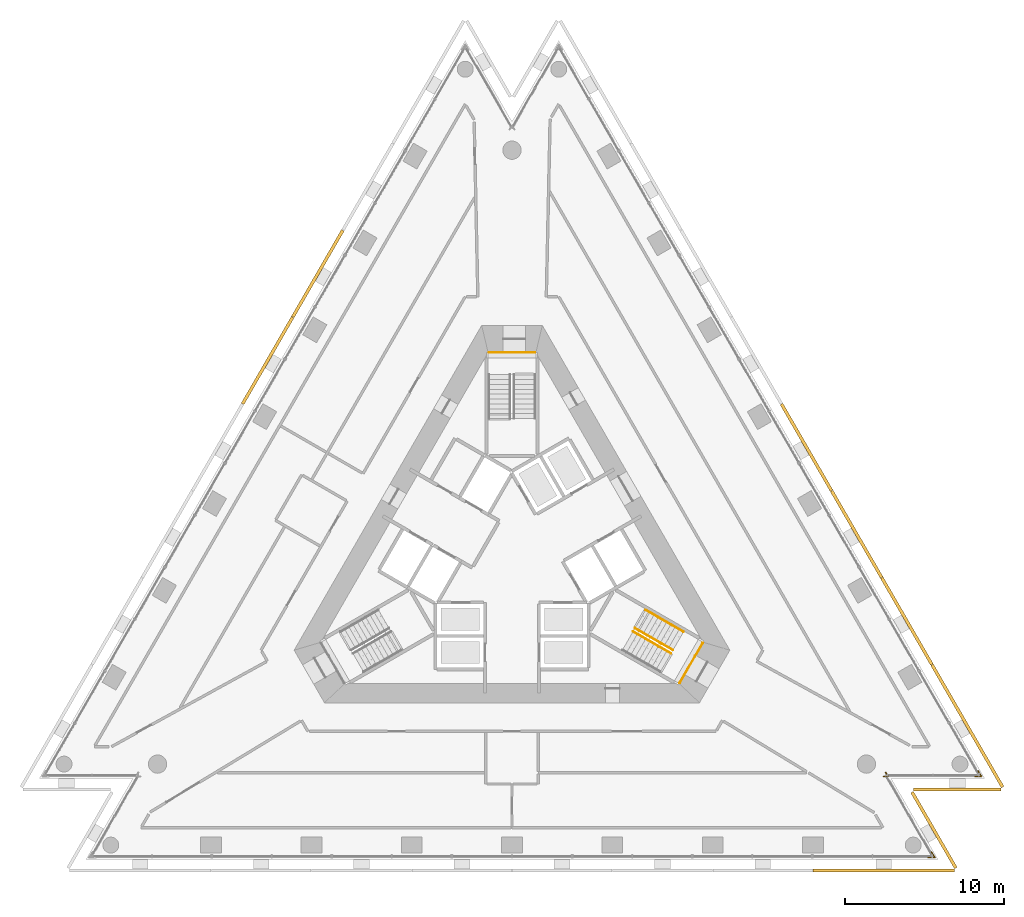
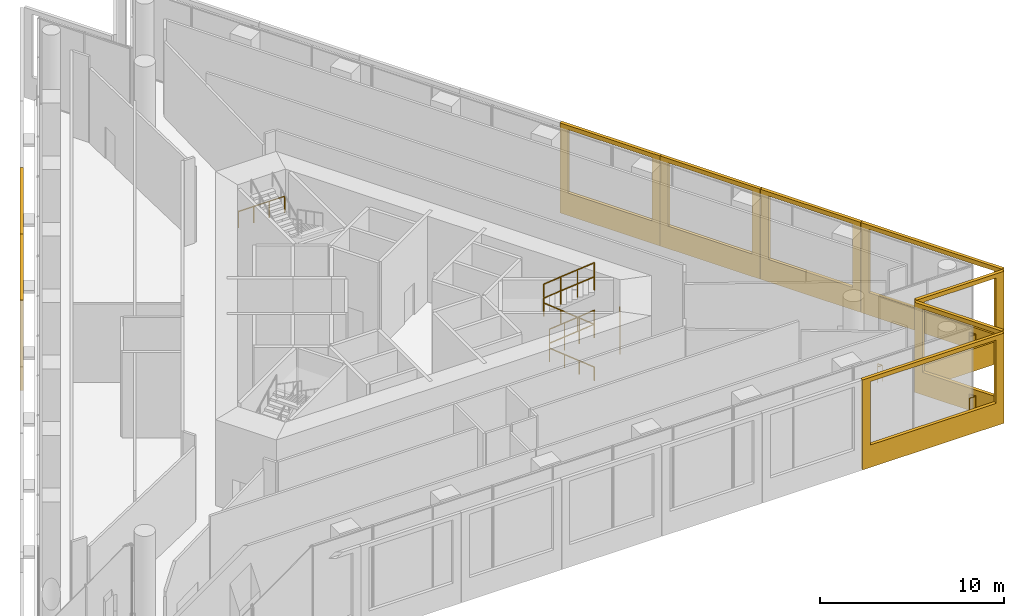
# One storey, part 16 of 18: 11 railings, 9 shading devices, 2 elements without a shape of their own.
"""IFC4 building model written with IfcOpenShell, lengths in metres."""

import ifcopenshell
import ifcopenshell.guid

model = None  # the IFC model being written
_history = None  # IfcOwnerHistory: only IFC2X3 demands one
_inside = {}  # id of a spatial element -> (the spatial element, [elements in it])
_under = {}  # id of a project, library or spatial element -> (it, [spatial elements below it])
_declared = {}  # id of a project -> (the project, [libraries it declares])
_typed = {}  # id of a type object -> (the type object, [elements of that type])
_made_of = {}  # id of a material, layer set ... -> (it, [elements and type objects made of it])


def new_model(schema):
    """Start an empty IFC model of exactly this schema.

    Asked for "IFC4X3", IfcOpenShell would pick the latest addendum, in which some entities
    have other attributes; the version numbers below select the first issue.
    IFC2X3 requires an IfcOwnerHistory on every rooted entity: one is made here for all.
    """
    global model, _history
    if schema == "IFC4X3":
        model = ifcopenshell.file(schema_version=(4, 3, 0, 0))
    else:
        model = ifcopenshell.file(schema=schema)
    _inside.clear()
    _under.clear()
    _declared.clear()
    _typed.clear()
    _made_of.clear()
    _history = None
    if model.schema == "IFC2X3":
        org = make("IfcOrganization", Name="unknown")
        user = make(
            "IfcPersonAndOrganization",
            ThePerson=make("IfcPerson", FamilyName="unknown"),
            TheOrganization=org,
        )
        app = make(
            "IfcApplication",
            ApplicationDeveloper=org,
            Version="unknown",
            ApplicationFullName="unknown",
            ApplicationIdentifier="unknown",
        )
        _history = make(
            "IfcOwnerHistory",
            OwningUser=user,
            OwningApplication=app,
            ChangeAction="ADDED",
            CreationDate=0,
        )
    return model


def make(cls, **values):
    """One entity of the class cls with the attributes given. An attribute that is None is left unset."""
    return model.create_entity(
        cls, **{name: value for name, value in values.items() if value is not None}
    )


def rooted(cls, **values):
    """An entity with a GlobalId (a new one), such as an element, a storey or a relation."""
    return make(cls, GlobalId=ifcopenshell.guid.new(), OwnerHistory=_history, **values)


def si_unit(unit_type, name, prefix=None):
    """IfcSIUnit, for example si_unit("LENGTHUNIT", "METRE", prefix="MILLI")."""
    return make("IfcSIUnit", UnitType=unit_type, Prefix=prefix, Name=name)


def assignment(units):
    """IfcUnitAssignment: the units of a project."""
    return None if units is None else make("IfcUnitAssignment", Units=units)


def point(xyz):
    """IfcCartesianPoint."""
    return None if xyz is None else make("IfcCartesianPoint", Coordinates=xyz)


def direction(xyz):
    """IfcDirection."""
    return None if xyz is None else make("IfcDirection", DirectionRatios=xyz)


def frame(location, z_axis=None, x_axis=None):
    """IfcAxis2Placement3D, a coordinate frame: its origin and axes. An axis left out is left unset."""
    return make(
        "IfcAxis2Placement3D",
        Location=point(location),
        Axis=direction(z_axis),
        RefDirection=direction(x_axis),
    )


def frame_2d(location, x_axis=None):
    """IfcAxis2Placement2D, a coordinate frame in the plane: its origin and x axis."""
    return make(
        "IfcAxis2Placement2D", Location=point(location), RefDirection=direction(x_axis)
    )


def origin():
    """The frame at (0, 0, 0) with its axes left unset."""
    return frame((0.0, 0.0, 0.0))


def origin_2d():
    """The frame at (0, 0) in the plane with its x axis left unset."""
    return frame_2d((0.0, 0.0))


def place(relative_to, where):
    """IfcLocalPlacement: puts the frame where relative to a parent placement (None: the world)."""
    return make(
        "IfcLocalPlacement", PlacementRelTo=relative_to, RelativePlacement=where
    )


def context(
    kind, dimensions, precision=None, world=None, true_north=None, identifier=None
):
    """IfcGeometricRepresentationContext, for example the 3D "Model" context."""
    return make(
        "IfcGeometricRepresentationContext",
        ContextIdentifier=identifier,
        ContextType=kind,
        CoordinateSpaceDimension=dimensions,
        Precision=precision,
        WorldCoordinateSystem=world,
        TrueNorth=true_north,
    )


def subcontext(parent, identifier, kind, view, scale=None):
    """IfcGeometricRepresentationSubContext, for example "Body" below "Model"."""
    return make(
        "IfcGeometricRepresentationSubContext",
        ContextIdentifier=identifier,
        ContextType=kind,
        ParentContext=parent,
        TargetScale=scale,
        TargetView=view,
    )


def project(units=None, contexts=None):
    """IfcProject with its units and contexts."""
    return rooted(
        "IfcProject",
        Name="project",
        RepresentationContexts=contexts,
        UnitsInContext=assignment(units),
    )


def spatial(cls, under=None, at=None, **own):
    """A site, building, storey or space (cls), placed at a placement, below another one or the project."""
    s = rooted(cls, ObjectPlacement=at, **own)
    if under is not None:
        _under.setdefault(under.id(), (under, []))[1].append(s)
    return s


def polyline(points):
    """IfcPolyline through the points."""
    return make("IfcPolyline", Points=[point(p) for p in points])


def profile(cls, at=None, kind="AREA", **sizes):
    """A parametric profile (cls). Its sizes go by their IFC names, for example OverallWidth=200.0."""
    return make(cls, ProfileType=kind, Position=at, **sizes)


def circle(**sizes):
    """IfcCircleProfileDef."""
    return profile("IfcCircleProfileDef", **sizes)


def outline(outer, holes=None, kind="AREA"):
    """IfcArbitraryClosedProfileDef: a profile drawn as a closed curve; with holes, ...WithVoids."""
    if holes is None:
        return make("IfcArbitraryClosedProfileDef", ProfileType=kind, OuterCurve=outer)
    return make(
        "IfcArbitraryProfileDefWithVoids",
        ProfileType=kind,
        OuterCurve=outer,
        InnerCurves=holes,
    )


def extrude(swept, where, along, depth):
    """IfcExtrudedAreaSolid: the profile swept, set in the frame where, extruded along a direction by depth."""
    return make(
        "IfcExtrudedAreaSolid",
        SweptArea=swept,
        Position=where,
        ExtrudedDirection=direction(along),
        Depth=depth,
    )


def shape(context_of_items, identifier, shape_type, items):
    """IfcShapeRepresentation: the items that make up one representation, for example the "Body"."""
    return make(
        "IfcShapeRepresentation",
        ContextOfItems=context_of_items,
        RepresentationIdentifier=identifier,
        RepresentationType=shape_type,
        Items=items,
    )


def material(Name=None, Category=None):
    """IfcMaterial."""
    return make("IfcMaterial", Name=Name, Category=Category)


def layer(
    of_material, thickness, ventilated=None, Name=None, Category=None, Priority=None
):
    """IfcMaterialLayer: one layer of a wall or slab, of a material (None: an air gap)."""
    return make(
        "IfcMaterialLayer",
        Material=of_material,
        LayerThickness=thickness,
        IsVentilated=ventilated,
        Name=Name,
        Category=Category,
        Priority=Priority,
    )


def layer_set(layers, Name=None):
    """IfcMaterialLayerSet."""
    return make("IfcMaterialLayerSet", MaterialLayers=layers, LayerSetName=Name)


def made_of(thing, what):
    """Note that an element or type object is made of a material, layer set ...; save() writes the relation."""
    if what is not None:
        _made_of.setdefault(what.id(), (what, []))[1].append(thing)
    return thing


def type_object(cls, material=None, **own):
    """A type object (cls), such as IfcWallType, which elements share."""
    return made_of(rooted(cls, **own), material)


def element(
    cls,
    number,
    at=None,
    inside=None,
    cuts=None,
    type_object=None,
    material=None,
    context=None,
    identifier="Body",
    shape_type=None,
    held_by="IfcProductDefinitionShape",
    body=None,
    shapes=None,
    **own,
):
    """One element of the class cls, such as IfcWall. Its Tag is "e" and its number.

    at: its placement. inside: the storey or other place that contains it. cuts: it is an
    opening in that element (IfcRelVoidsElement). A single representation is given by context,
    identifier, shape_type and body (its items); several are given by shapes. held_by: the class
    of the entity that holds the representations. save() writes the other relations.
    """
    e = rooted(cls, Tag="e%d" % number, ObjectPlacement=at, **own)
    if body is not None:
        shapes = [shape(context, identifier, shape_type, body)]
    if shapes is not None:
        e.Representation = make(held_by, Representations=shapes)
    if inside is not None:
        _inside.setdefault(inside.id(), (inside, []))[1].append(e)
    if cuts is not None:
        rooted(
            "IfcRelVoidsElement", RelatingBuildingElement=cuts, RelatedOpeningElement=e
        )
    if type_object is not None:
        _typed.setdefault(type_object.id(), (type_object, []))[1].append(e)
    return made_of(e, material)


def aggregate(whole, parts):
    """IfcRelAggregates: a whole, such as a stair, and the parts it consists of."""
    return rooted("IfcRelAggregates", RelatingObject=whole, RelatedObjects=parts)


def save(model, path):
    """Write the relations noted so far, then the file.

    IfcRelAggregates (storeys below a building ...), IfcRelContainedInSpatialStructure (elements
    in a storey), IfcRelDefinesByType, IfcRelAssociatesMaterial and IfcRelDeclares: one each for
    every whole, place, type object, material and project.
    """
    for whole, parts in _under.values():
        aggregate(whole, parts)
    for where, things in _inside.values():
        rooted(
            "IfcRelContainedInSpatialStructure",
            RelatedElements=things,
            RelatingStructure=where,
        )
    for kind, things in _typed.values():
        rooted("IfcRelDefinesByType", RelatedObjects=things, RelatingType=kind)
    for what, things in _made_of.values():
        rooted("IfcRelAssociatesMaterial", RelatedObjects=things, RelatingMaterial=what)
    for by, libraries in _declared.values():
        rooted("IfcRelDeclares", RelatingContext=by, RelatedDefinitions=libraries)
    model.write(path)


model = new_model("IFC4")

# Units and contexts
model_context = context("Model", 3, precision=1e-05, world=origin(), true_north=direction((0.0, 1.0)))
body_context = subcontext(model_context, "Body", "Model", "MODEL_VIEW")
ifc_project = project(units=[si_unit("LENGTHUNIT", "METRE"), si_unit("AREAUNIT", "SQUARE_METRE"), si_unit("VOLUMEUNIT", "CUBIC_METRE"), si_unit("PLANEANGLEUNIT", "RADIAN"), si_unit("MASSUNIT", "GRAM", prefix="KILO")], contexts=[model_context])

# Site, building, storey
site_placement = place(None, origin())
site = spatial("IfcSite", under=ifc_project, at=site_placement, CompositionType="ELEMENT")
building_placement = place(site_placement, origin())
building = spatial("IfcBuilding", under=site, at=building_placement, Name="Triada Interchange Tower", CompositionType="ELEMENT")
storey_placement = place(building_placement, frame((0.0, 0.0, 185.300048828125)))
storey = spatial("IfcBuildingStorey", under=building, at=storey_placement, Name="L43", CompositionType="ELEMENT", Elevation=185.300048828125)

# Railings
ifc_material_1 = material(Name="Stainless steel 1.4301", Category="steel")
railing_type_1 = type_object("IfcRailingType", Name="Edge guard 1100", PredefinedType="GUARDRAIL", material=ifc_material_1)
railing_1_placement = place(storey_placement, frame((26.14599609375, -18.720947265625, 0.0)))
element("IfcRailing", 1, at=railing_1_placement, inside=storey, type_object=railing_type_1, Name="Edge guard L43 corner 05", PredefinedType="GUARDRAIL", context=body_context, shape_type="SweptSolid", body=[
    extrude(circle(Radius=0.02392578125, at=origin_2d()), frame((0.0, 0.0, 1.076171875), z_axis=(1.0, 0.0, 0.0), x_axis=(0.0, 1.0, 0.0)), (0.0, 0.0, 1.0), 0.406005859375),
    extrude(circle(Radius=0.02392578125, at=origin_2d()), frame((0.406005859375, 0.0, 1.076171875), z_axis=(-0.49930626892, 0.866425559305, 0.0), x_axis=(-0.866425559305, -0.49930626892, 0.0)), (0.0, 0.0, 1.0), 0.40625),
    extrude(circle(Radius=0.02099609375, at=origin_2d()), origin(), (0.0, 0.0, 1.0), 1.052001953125),
    extrude(circle(Radius=0.02099609375, at=origin_2d()), frame((0.406005859375, 0.0, 0.0)), (0.0, 0.0, 1.0), 1.052001953125),
    extrude(circle(Radius=0.02099609375, at=origin_2d()), frame((0.203125, 0.35205078125, 0.0)), (0.0, 0.0, 1.0), 1.052001953125),
])
railing_2_placement = place(storey_placement, frame((23.471923828125, -13.385986328125, 0.0)))
element("IfcRailing", 2, at=railing_2_placement, inside=storey, type_object=railing_type_1, Name="Edge guard L43 corner 06", PredefinedType="GUARDRAIL", context=body_context, shape_type="SweptSolid", body=[
    extrude(circle(Radius=0.02392578125, at=origin_2d()), frame((0.0, 0.0, 1.076171875), z_axis=(0.49962403686, -0.866242357422, 0.0), x_axis=(0.866242357422, 0.49962403686, 0.0)), (0.0, 0.0, 1.0), 0.286376953125),
    extrude(circle(Radius=0.02392578125, at=origin_2d()), frame((0.14306640625, -0.248046875, 1.076171875), z_axis=(-1.0, 0.0, 0.0), x_axis=(0.0, -1.0, 0.0)), (0.0, 0.0, 1.0), 0.285888671875),
    extrude(circle(Radius=0.02099609375, at=origin_2d()), origin(), (0.0, 0.0, 1.0), 1.052001953125),
    extrude(circle(Radius=0.02099609375, at=origin_2d()), frame((0.14306640625, -0.248046875, 0.0)), (0.0, 0.0, 1.0), 1.052001953125),
    extrude(circle(Radius=0.02099609375, at=origin_2d()), frame((-0.142822265625, -0.248046875, 0.0)), (0.0, 0.0, 1.0), 1.052001953125),
])
railing_3_placement = place(storey_placement, frame((29.0830078125, -13.634033203125, 0.0)))
element("IfcRailing", 3, at=railing_3_placement, inside=storey, type_object=railing_type_1, Name="Edge guard L43 corner 07", PredefinedType="GUARDRAIL", context=body_context, shape_type="SweptSolid", body=[
    extrude(circle(Radius=0.02392578125, at=origin_2d()), frame((0.0, 0.0, 1.076171875), z_axis=(1.0, 0.0, 0.0), x_axis=(0.0, 1.0, 0.0)), (0.0, 0.0, 1.0), 0.406005859375),
    extrude(circle(Radius=0.02392578125, at=origin_2d()), frame((0.406005859375, 0.0, 1.076171875), z_axis=(-0.499757119926, 0.866165585257, 0.0), x_axis=(-0.866165585257, -0.499757119926, 0.0)), (0.0, 0.0, 1.0), 0.406494140625),
    extrude(circle(Radius=0.02099609375, at=origin_2d()), origin(), (0.0, 0.0, 1.0), 1.052001953125),
    extrude(circle(Radius=0.02099609375, at=origin_2d()), frame((0.406005859375, 0.0, 0.0)), (0.0, 0.0, 1.0), 1.052001953125),
    extrude(circle(Radius=0.02099609375, at=origin_2d()), frame((0.202880859375, 0.35205078125, 0.0)), (0.0, 0.0, 1.0), 1.052001953125),
])

# Shading devices
ifc_material_2 = material(Name="Concrete C50/60 precast", Category="concrete")
ifc_layer_1 = layer(ifc_material_2, 0.02001953125, Name="Exposed aggregate face")
ifc_layer_2 = layer(ifc_material_2, 0.179931640625, Name="Precast concrete screen")
ifc_layer_set = layer_set([ifc_layer_1, ifc_layer_2], Name="Outer skin screen panel 5980")
shading_device_type = type_object("IfcShadingDeviceType", Name="Outer skin screen panel 5980", PredefinedType="SHUTTER", material=ifc_layer_set)
shading_device_1_placement = place(storey_placement, frame((-10.541015625, 20.6240234375, -0.590087890625), z_axis=(0.0, 0.0, 1.0), x_axis=(-0.499964741488, -0.866045759339, 0.0)))
element("IfcShadingDevice", 4, at=shading_device_1_placement, inside=storey, type_object=shading_device_type, Name="Outer skin screen panel L43 03", PredefinedType="SHUTTER", context=body_context, shape_type="SweptSolid", body=[
    extrude(outline(polyline([(0.0, 0.0), (6.2802734375, 0.0), (6.2802734375, 5.97998046875), (0.0, 5.97998046875), (0.0, 0.0)]), holes=[polyline([(0.5, 1.489990234375), (0.5, 5.699951171875), (5.7802734375, 5.699951171875), (5.7802734375, 1.489990234375), (0.5, 1.489990234375)])]), frame((0.0, 0.0, 0.0), z_axis=(0.0, -1.0, 0.0), x_axis=(1.0, 0.0, 0.0)), (0.0, 0.0, 1.0), 0.199951171875),
])
shading_device_2_placement = place(storey_placement, frame((-13.69091796875, 15.16796875, -0.590087890625), z_axis=(0.0, 0.0, 1.0), x_axis=(-0.500110506406, -0.86596159348, 0.0)))
element("IfcShadingDevice", 5, at=shading_device_2_placement, inside=storey, type_object=shading_device_type, Name="Outer skin screen panel L43 04", PredefinedType="SHUTTER", context=body_context, shape_type="SweptSolid", body=[
    extrude(outline(polyline([(0.0, 0.0), (6.28076171875, 0.0), (6.28076171875, 5.97998046875), (0.0, 5.97998046875), (0.0, 0.0)]), holes=[polyline([(0.5, 1.489990234375), (0.5, 5.699951171875), (5.7802734375, 5.699951171875), (5.7802734375, 1.489990234375), (0.5, 1.489990234375)])]), frame((0.0, 0.0, 0.0), z_axis=(0.0, -1.0, 0.0), x_axis=(1.0, 0.0, 0.0)), (0.0, 0.0, 1.0), 0.199951171875),
])
shading_device_3_placement = place(storey_placement, frame((18.910888671875, -19.44091796875, -0.590087890625), z_axis=(0.0, 0.0, 1.0), x_axis=(1.0, 0.0, 0.0)))
element("IfcShadingDevice", 6, at=shading_device_3_placement, inside=storey, type_object=shading_device_type, Name="Outer skin screen panel L43 18", PredefinedType="SHUTTER", context=body_context, shape_type="SweptSolid", body=[
    extrude(outline(polyline([(0.0, 0.0), (8.878173828125, 0.0), (8.878173828125, 5.97998046875), (0.0, 5.97998046875), (0.0, 0.0)]), holes=[polyline([(0.5, 1.489990234375), (0.5, 5.699951171875), (8.378173828125, 5.699951171875), (8.378173828125, 1.489990234375), (0.5, 1.489990234375)])]), frame((0.0, 0.0, 0.0), z_axis=(0.0, -1.0, 0.0), x_axis=(1.0, 0.0, 0.0)), (0.0, 0.0, 1.0), 0.199951171875),
])
shading_device_4_placement = place(storey_placement, frame((27.7939453125, -19.431884765625, -0.590087890625), z_axis=(0.0, 0.0, 1.0), x_axis=(-0.499954016204, 0.866051950914, 0.0)))
element("IfcShadingDevice", 7, at=shading_device_4_placement, inside=storey, type_object=shading_device_type, Name="Outer skin screen panel L43 19", PredefinedType="SHUTTER", context=body_context, shape_type="SweptSolid", body=[
    extrude(outline(polyline([(0.0, 0.0), (5.50634765625, 0.0), (5.50634765625, 5.97998046875), (0.0, 5.97998046875), (0.0, 0.0)]), holes=[polyline([(0.5, 1.489990234375), (0.5, 5.699951171875), (5.00732421875, 5.699951171875), (5.00732421875, 1.489990234375), (0.5, 1.489990234375)])]), frame((0.0, 0.0, 0.0), z_axis=(0.0, -1.0, 0.0), x_axis=(1.0, 0.0, 0.0)), (0.0, 0.0, 1.0), 0.199951171875),
])
shading_device_5_placement = place(storey_placement, frame((25.218994140625, -14.35400390625, -0.590087890625), z_axis=(0.0, 0.0, 1.0), x_axis=(1.0, 0.0, 0.0)))
element("IfcShadingDevice", 8, at=shading_device_5_placement, inside=storey, type_object=shading_device_type, Name="Outer skin screen panel L43 20", PredefinedType="SHUTTER", context=body_context, shape_type="SweptSolid", body=[
    extrude(outline(polyline([(0.0, 0.0), (5.507080078125, 0.0), (5.507080078125, 5.97998046875), (0.0, 5.97998046875), (0.0, 0.0)]), holes=[polyline([(0.5, 1.489990234375), (0.5, 5.699951171875), (5.007080078125, 5.699951171875), (5.007080078125, 1.489990234375), (0.5, 1.489990234375)])]), frame((0.0, 0.0, 0.0), z_axis=(0.0, -1.0, 0.0), x_axis=(1.0, 0.0, 0.0)), (0.0, 0.0, 1.0), 0.199951171875),
])
shading_device_6_placement = place(storey_placement, frame((30.73095703125, -14.344970703125, -0.590087890625), z_axis=(0.0, 0.0, 1.0), x_axis=(-0.499977945113, 0.866038136805, 0.0)))
element("IfcShadingDevice", 9, at=shading_device_6_placement, inside=storey, type_object=shading_device_type, Name="Outer skin screen panel L43 21", PredefinedType="SHUTTER", context=body_context, shape_type="SweptSolid", body=[
    extrude(outline(polyline([(0.0, 0.0), (8.87841796875, 0.0), (8.87841796875, 5.97998046875), (0.0, 5.97998046875), (0.0, 0.0)]), holes=[polyline([(0.5, 1.489990234375), (0.5, 5.699951171875), (8.37841796875, 5.699951171875), (8.37841796875, 1.489990234375), (0.5, 1.489990234375)])]), frame((0.0, 0.0, 0.0), z_axis=(0.0, -1.0, 0.0), x_axis=(1.0, 0.0, 0.0)), (0.0, 0.0, 1.0), 0.199951171875),
])
shading_device_7_placement = place(storey_placement, frame((26.281982421875, -6.638916015625, -0.590087890625), z_axis=(0.0, 0.0, 1.0), x_axis=(-0.499964741488, 0.866045759339, 0.0)))
element("IfcShadingDevice", 10, at=shading_device_7_placement, inside=storey, type_object=shading_device_type, Name="Outer skin screen panel L43 22", PredefinedType="SHUTTER", context=body_context, shape_type="SweptSolid", body=[
    extrude(outline(polyline([(0.0, 0.0), (6.2802734375, 0.0), (6.2802734375, 5.97998046875), (0.0, 5.97998046875), (0.0, 0.0)]), holes=[polyline([(0.5, 1.489990234375), (0.5, 5.699951171875), (5.7802734375, 5.699951171875), (5.7802734375, 1.489990234375), (0.5, 1.489990234375)])]), frame((0.0, 0.0, 0.0), z_axis=(0.0, -1.0, 0.0), x_axis=(1.0, 0.0, 0.0)), (0.0, 0.0, 1.0), 0.199951171875),
])
shading_device_8_placement = place(storey_placement, frame((23.132080078125, -1.18310546875, -0.590087890625), z_axis=(0.0, 0.0, 1.0), x_axis=(-0.499977065662, 0.866038644526, 0.0)))
element("IfcShadingDevice", 11, at=shading_device_8_placement, inside=storey, type_object=shading_device_type, Name="Outer skin screen panel L43 23", PredefinedType="SHUTTER", context=body_context, shape_type="SweptSolid", body=[
    extrude(outline(polyline([(0.0, 0.0), (6.280517578125, 0.0), (6.280517578125, 5.97998046875), (0.0, 5.97998046875), (0.0, 0.0)]), holes=[polyline([(0.5, 1.489990234375), (0.5, 5.699951171875), (5.7802734375, 5.699951171875), (5.7802734375, 1.489990234375), (0.5, 1.489990234375)])]), frame((0.0, 0.0, 0.0), z_axis=(0.0, -1.0, 0.0), x_axis=(1.0, 0.0, 0.0)), (0.0, 0.0, 1.0), 0.199951171875),
])
shading_device_9_placement = place(storey_placement, frame((19.98193359375, 4.27294921875, -0.590087890625), z_axis=(0.0, 0.0, 1.0), x_axis=(-0.499964741488, 0.866045759339, 0.0)))
element("IfcShadingDevice", 12, at=shading_device_9_placement, inside=storey, type_object=shading_device_type, Name="Outer skin screen panel L43 24", PredefinedType="SHUTTER", context=body_context, shape_type="SweptSolid", body=[
    extrude(outline(polyline([(0.0, 0.0), (6.2802734375, 0.0), (6.2802734375, 5.97998046875), (0.0, 5.97998046875), (0.0, 0.0)]), holes=[polyline([(0.5, 1.489990234375), (0.5, 5.699951171875), (5.7802734375, 5.699951171875), (5.7802734375, 1.489990234375), (0.5, 1.489990234375)])]), frame((0.0, 0.0, 0.0), z_axis=(0.0, -1.0, 0.0), x_axis=(1.0, 0.0, 0.0)), (0.0, 0.0, 1.0), 0.199951171875),
])

# Stair, railing
ifc_material_3 = material(Name="Concrete C35/45", Category="concrete")
stair_type = type_object("IfcStairType", Name="HALF TURN STAIR 1400", PredefinedType="HALF_TURN_STAIR", material=ifc_material_3)
stair_1_placement = place(storey_placement, origin())
stair_1 = element("IfcStair", 13, at=stair_1_placement, inside=storey, type_object=stair_type, Name="Exit stair S43-1", PredefinedType="HALF_TURN_STAIR")
railing_type_2 = type_object("IfcRailingType", Name="STAIR GUARD 1100", PredefinedType="GUARDRAIL", material=ifc_material_1)
railing_4_placement = place(storey_placement, frame((1.449951171875, 13.0, 2.842041015625)))
railing_4 = element("IfcRailing", 14, at=railing_4_placement, type_object=railing_type_2, Name="Guard S43-1 1", PredefinedType="GUARDRAIL", context=body_context, shape_type="SweptSolid", body=[
    extrude(circle(Radius=0.02392578125, at=origin_2d()), frame((0.0, 0.0, 1.076171875), z_axis=(-1.0, 0.0, 0.0), x_axis=(0.0, -1.0, 0.0)), (0.0, 0.0, 1.0), 2.89990234375),
    extrude(circle(Radius=0.02099609375, at=origin_2d()), origin(), (0.0, 0.0, 1.0), 1.052001953125),
    extrude(circle(Radius=0.02099609375, at=origin_2d()), frame((-0.966552734375, 0.0, 0.0)), (0.0, 0.0, 1.0), 1.052001953125),
    extrude(circle(Radius=0.02099609375, at=origin_2d()), frame((-1.933349609375, 0.0, 0.0)), (0.0, 0.0, 1.0), 1.052001953125),
    extrude(circle(Radius=0.02099609375, at=origin_2d()), frame((-2.89990234375, 0.0, 0.0)), (0.0, 0.0, 1.0), 1.052001953125),
])
aggregate(stair_1, [railing_4])

# Stair, railings
stair_2_placement = place(storey_placement, origin())
stair_2 = element("IfcStair", 15, at=stair_2_placement, inside=storey, type_object=stair_type, Name="Exit stair S43-3", PredefinedType="HALF_TURN_STAIR")
railing_5_placement = place(storey_placement, frame((10.532958984375, -7.756103515625, 2.842041015625)))
railing_5 = element("IfcRailing", 16, at=railing_5_placement, type_object=railing_type_2, Name="Guard S43-3 1", PredefinedType="GUARDRAIL", context=body_context, shape_type="SweptSolid", body=[
    extrude(circle(Radius=0.02392578125, at=origin_2d()), frame((0.0, 0.0, 1.076171875), z_axis=(0.499877891294, 0.866095891802, 0.0), x_axis=(-0.866095891802, 0.499877891294, 0.0)), (0.0, 0.0, 1.0), 2.900634765625),
    extrude(circle(Radius=0.02099609375, at=origin_2d()), origin(), (0.0, 0.0, 1.0), 1.052001953125),
    extrude(circle(Radius=0.02099609375, at=origin_2d()), frame((0.4833984375, 0.83740234375, 0.0)), (0.0, 0.0, 1.0), 1.052001953125),
    extrude(circle(Radius=0.02099609375, at=origin_2d()), frame((0.966552734375, 1.6748046875, 0.0)), (0.0, 0.0, 1.0), 1.052001953125),
    extrude(circle(Radius=0.02099609375, at=origin_2d()), frame((1.449951171875, 2.51220703125, 0.0)), (0.0, 0.0, 1.0), 1.052001953125),
])
railing_type_3 = type_object("IfcRailingType", Name="STAIR HANDRAIL 900", PredefinedType="HANDRAIL", material=ifc_material_1)
railing_6_placement = place(storey_placement, frame((9.986083984375, -5.904052734375, 0.157958984375)))
railing_6 = element("IfcRailing", 17, at=railing_6_placement, type_object=railing_type_3, Name="Handrail S43-3 1C", PredefinedType="HANDRAIL", context=body_context, shape_type="SweptSolid", body=[
    extrude(circle(Radius=0.02392578125, at=origin_2d()), frame((0.0, 0.0, 0.8759765625), z_axis=(-0.769101041409, 0.444043663076, 0.459683383848), x_axis=(-0.500002508028, -0.866023955769, 0.0)), (0.0, 0.0, 1.0), 2.747314453125),
    extrude(circle(Radius=0.02099609375, at=origin_2d()), origin(), (0.0, 0.0, 1.0), 0.851806640625),
    extrude(circle(Radius=0.02099609375, at=origin_2d()), frame((-0.704345703125, 0.40673828125, 0.4208984375)), (0.0, 0.0, 1.0), 0.851806640625),
    extrude(circle(Radius=0.02099609375, at=origin_2d()), frame((-1.40869140625, 0.813232421875, 0.842041015625)), (0.0, 0.0, 1.0), 0.851806640625),
    extrude(circle(Radius=0.02099609375, at=origin_2d()), frame((-2.113037109375, 1.219970703125, 1.262939453125)), (0.0, 0.0, 1.0), 0.851806640625),
])
railing_7_placement = place(storey_placement, frame((8.657958984375, -3.323974609375, 1.578857421875)))
railing_7 = element("IfcRailing", 18, at=railing_7_placement, type_object=railing_type_3, Name="Handrail S43-3 2W", PredefinedType="HANDRAIL", context=body_context, shape_type="SweptSolid", body=[
    extrude(circle(Radius=0.02392578125, at=origin_2d()), frame((0.0, 0.0, 0.8759765625), z_axis=(0.769069623744, -0.444025523957, 0.45975346427), x_axis=(0.500002508028, 0.866023955769, 0.0)), (0.0, 0.0, 1.0), 2.74755859375),
    extrude(circle(Radius=0.02099609375, at=origin_2d()), origin(), (0.0, 0.0, 1.0), 0.851806640625),
    extrude(circle(Radius=0.02099609375, at=origin_2d()), frame((0.704345703125, -0.40673828125, 0.421142578125)), (0.0, 0.0, 1.0), 0.851806640625),
    extrude(circle(Radius=0.02099609375, at=origin_2d()), frame((1.40869140625, -0.813232421875, 0.842041015625)), (0.0, 0.0, 1.0), 0.851806640625),
    extrude(circle(Radius=0.02099609375, at=origin_2d()), frame((2.113037109375, -1.219970703125, 1.26318359375)), (0.0, 0.0, 1.0), 0.851806640625),
])
railing_8_placement = place(storey_placement, frame((7.992919921875, -4.47607421875, 1.578857421875)))
railing_8 = element("IfcRailing", 19, at=railing_8_placement, type_object=railing_type_3, Name="Handrail S43-3 2C", PredefinedType="HANDRAIL", context=body_context, shape_type="SweptSolid", body=[
    extrude(circle(Radius=0.02392578125, at=origin_2d()), frame((0.0, 0.0, 0.8759765625), z_axis=(0.769069623744, -0.444025523957, 0.45975346427), x_axis=(0.500002508028, 0.866023955769, 0.0)), (0.0, 0.0, 1.0), 2.74755859375),
    extrude(circle(Radius=0.02099609375, at=origin_2d()), origin(), (0.0, 0.0, 1.0), 0.851806640625),
    extrude(circle(Radius=0.02099609375, at=origin_2d()), frame((0.704345703125, -0.40673828125, 0.421142578125)), (0.0, 0.0, 1.0), 0.851806640625),
    extrude(circle(Radius=0.02099609375, at=origin_2d()), frame((1.40869140625, -0.813232421875, 0.842041015625)), (0.0, 0.0, 1.0), 0.851806640625),
    extrude(circle(Radius=0.02099609375, at=origin_2d()), frame((2.113037109375, -1.219970703125, 1.26318359375)), (0.0, 0.0, 1.0), 0.851806640625),
])
railing_9_placement = place(storey_placement, frame((9.986083984375, -5.904052734375, 2.999755859375)))
railing_9 = element("IfcRailing", 20, at=railing_9_placement, type_object=railing_type_3, Name="Handrail S43-3 3C", PredefinedType="HANDRAIL", context=body_context, shape_type="SweptSolid", body=[
    extrude(circle(Radius=0.02392578125, at=origin_2d()), frame((0.0, 0.0, 0.8759765625), z_axis=(-0.769110501201, 0.443915067963, 0.45979174566), x_axis=(-0.499889283929, -0.866089316302, 0.0)), (0.0, 0.0, 1.0), 3.0908203125),
    extrude(circle(Radius=0.02099609375, at=origin_2d()), origin(), (0.0, 0.0, 1.0), 0.851806640625),
    extrude(circle(Radius=0.02099609375, at=origin_2d()), frame((-0.79248046875, 0.457275390625, 0.4736328125)), (0.0, 0.0, 1.0), 0.851806640625),
    extrude(circle(Radius=0.02099609375, at=origin_2d()), frame((-1.584716796875, 0.914794921875, 0.947509765625)), (0.0, 0.0, 1.0), 0.851806640625),
    extrude(circle(Radius=0.02099609375, at=origin_2d()), frame((-2.377197265625, 1.3720703125, 1.421142578125)), (0.0, 0.0, 1.0), 0.851806640625),
])
railing_10_placement = place(storey_placement, frame((8.39404296875, -3.172119140625, 4.578857421875)))
railing_10 = element("IfcRailing", 21, at=railing_10_placement, type_object=railing_type_3, Name="Handrail S43-3 4W", PredefinedType="HANDRAIL", context=body_context, shape_type="SweptSolid", body=[
    extrude(circle(Radius=0.02392578125, at=origin_2d()), frame((0.0, 0.0, 0.8759765625), z_axis=(0.769025239288, -0.444148410077, 0.459709007052), x_axis=(0.500127924686, 0.865951533834, 0.0)), (0.0, 0.0, 1.0), 3.0908203125),
    extrude(circle(Radius=0.02099609375, at=origin_2d()), origin(), (0.0, 0.0, 1.0), 0.851806640625),
    extrude(circle(Radius=0.02099609375, at=origin_2d()), frame((0.792236328125, -0.45751953125, 0.4736328125)), (0.0, 0.0, 1.0), 0.851806640625),
    extrude(circle(Radius=0.02099609375, at=origin_2d()), frame((1.584716796875, -0.915283203125, 0.947265625)), (0.0, 0.0, 1.0), 0.851806640625),
    extrude(circle(Radius=0.02099609375, at=origin_2d()), frame((2.376953125, -1.372802734375, 1.4208984375)), (0.0, 0.0, 1.0), 0.851806640625),
])
railing_11_placement = place(storey_placement, frame((7.72900390625, -4.323974609375, 4.578857421875)))
railing_11 = element("IfcRailing", 22, at=railing_11_placement, type_object=railing_type_3, Name="Handrail S43-3 4C", PredefinedType="HANDRAIL", context=body_context, shape_type="SweptSolid", body=[
    extrude(circle(Radius=0.02392578125, at=origin_2d()), frame((0.0, 0.0, 0.8759765625), z_axis=(0.769106168007, -0.443958161894, 0.459757384737), x_axis=(0.499927796446, 0.866067086513, 0.0)), (0.0, 0.0, 1.0), 3.090576171875),
    extrude(circle(Radius=0.02099609375, at=origin_2d()), origin(), (0.0, 0.0, 1.0), 0.851806640625),
    extrude(circle(Radius=0.02099609375, at=origin_2d()), frame((0.792236328125, -0.457275390625, 0.4736328125)), (0.0, 0.0, 1.0), 0.851806640625),
    extrude(circle(Radius=0.02099609375, at=origin_2d()), frame((1.584716796875, -0.914794921875, 0.947265625)), (0.0, 0.0, 1.0), 0.851806640625),
    extrude(circle(Radius=0.02099609375, at=origin_2d()), frame((2.376953125, -1.3720703125, 1.4208984375)), (0.0, 0.0, 1.0), 0.851806640625),
])
aggregate(stair_2, [railing_6, railing_7, railing_8, railing_9, railing_10, railing_11, railing_5])

save(model, "model.ifc")
